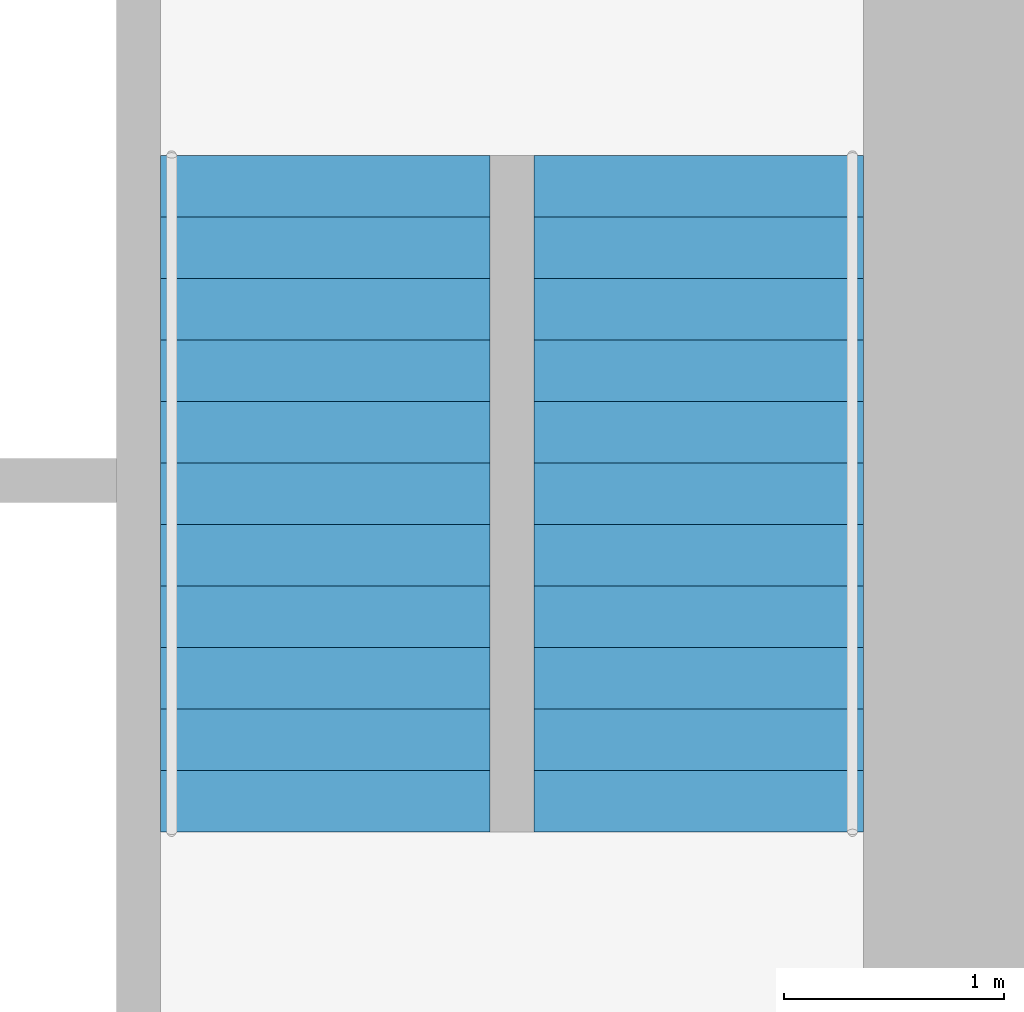
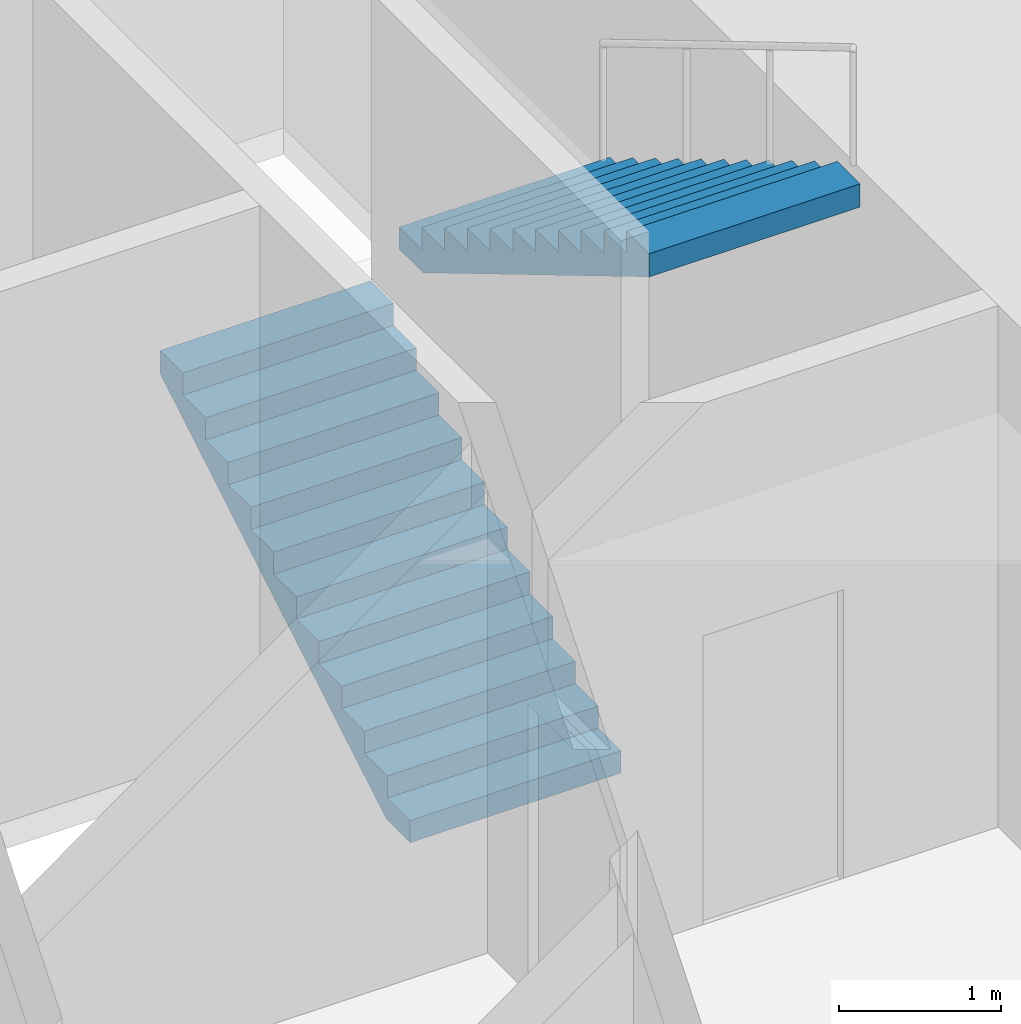
# One storey, part 14 of 17: 2 stair flights, 1 element without a shape of its own.
"""IFC4 building model written with IfcOpenShell, lengths in metres."""

from ifc_helpers import new_model, si_unit, direction, frame, origin, place, context, subcontext, project, spatial, polyline, outline, extrude, material, type_object, element, aggregate, save


model = new_model("IFC4")

# Units and contexts
model_context = context("Model", 3, precision=1e-05, world=origin(), true_north=direction((0.0, 1.0)))
body_context = subcontext(model_context, "Body", "Model", "MODEL_VIEW")
ifc_project = project(units=[si_unit("LENGTHUNIT", "METRE"), si_unit("AREAUNIT", "SQUARE_METRE"), si_unit("VOLUMEUNIT", "CUBIC_METRE"), si_unit("PLANEANGLEUNIT", "RADIAN"), si_unit("MASSUNIT", "GRAM", prefix="KILO")], contexts=[model_context])

# Site, building, storey
site_placement = place(None, origin())
site = spatial("IfcSite", under=ifc_project, at=site_placement, CompositionType="ELEMENT")
building_placement = place(site_placement, origin())
building = spatial("IfcBuilding", under=site, at=building_placement, Name="Svetlomir Tower", CompositionType="ELEMENT")
storey_placement = place(building_placement, frame((0.0, 0.0, 38.5)))
storey = spatial("IfcBuildingStorey", under=building, at=storey_placement, Name="L08", CompositionType="ELEMENT", Elevation=38.5)

# Stair, stair flights
ifc_material_1 = material(Name="Concrete C60/75", Category="concrete")
stair_type = type_object("IfcStairType", Name="EXIT STAIR 3200 RISE 4000", PredefinedType="HALF_TURN_STAIR", material=ifc_material_1)
stair_placement = place(storey_placement, origin())
stair = element("IfcStair", 1, at=stair_placement, inside=storey, type_object=stair_type, Name="Stair S2 L08 to L09", PredefinedType="HALF_TURN_STAIR")
ifc_material_2 = material(Name="Concrete C60/75", Category="concrete")
stair_flight_type = type_object("IfcStairFlightType", Name="STAIR FLIGHT 1500 OF 12 RISERS", PredefinedType="STRAIGHT", material=ifc_material_2)
stair_flight_1_placement = place(storey_placement, frame((26.949951171875, 22.300048828125, 0.0), z_axis=(0.0, 0.0, 1.0), x_axis=(0.0, 1.0, 0.0)))
stair_flight_1 = element("IfcStairFlight", 2, at=stair_flight_1_placement, type_object=stair_flight_type, Name="S2 flight 1", NumberOfRisers=12, NumberOfTreads=11, PredefinedType="STRAIGHT", RiserHeight=0.166666667, TreadLength=0.28, context=body_context, shape_type="SweptSolid", body=[
    extrude(outline(polyline([(0.0, 0.0), (0.0, 0.166748046875), (0.280029296875, 0.166748046875), (0.280029296875, 0.333251953125), (0.56005859375, 0.333251953125), (0.56005859375, 0.5), (0.840087890625, 0.5), (0.840087890625, 0.666748046875), (1.1201171875, 0.666748046875), (1.1201171875, 0.833251953125), (1.39990234375, 0.833251953125), (1.39990234375, 1.0), (1.679931640625, 1.0), (1.679931640625, 1.166748046875), (1.9599609375, 1.166748046875), (1.9599609375, 1.333251953125), (2.239990234375, 1.333251953125), (2.239990234375, 1.5), (2.52001953125, 1.5), (2.52001953125, 1.666748046875), (2.800048828125, 1.666748046875), (2.800048828125, 1.833251953125), (3.080078125, 1.833251953125), (3.080078125, 2.0), (3.080078125, 1.658935546875), (0.29296875, 0.0), (0.0, 0.0)])), frame((0.0, 0.75, 0.0), z_axis=(0.0, -1.0, 0.0), x_axis=(1.0, 0.0, 0.0)), (0.0, 0.0, 1.0), 1.5),
])
stair_flight_2_placement = place(storey_placement, frame((28.64990234375, 25.3798828125, 2.0), z_axis=(0.0, 0.0, 1.0), x_axis=(0.0, -1.0, 0.0)))
stair_flight_2 = element("IfcStairFlight", 3, at=stair_flight_2_placement, type_object=stair_flight_type, Name="S2 flight 2", NumberOfRisers=12, NumberOfTreads=11, PredefinedType="STRAIGHT", RiserHeight=0.166666667, TreadLength=0.28, context=body_context, shape_type="SweptSolid", body=[
    extrude(outline(polyline([(0.0, 0.0), (0.0, 0.166748046875), (0.280029296875, 0.166748046875), (0.280029296875, 0.333251953125), (0.56005859375, 0.333251953125), (0.56005859375, 0.5), (0.840087890625, 0.5), (0.840087890625, 0.666748046875), (1.1201171875, 0.666748046875), (1.1201171875, 0.833251953125), (1.39990234375, 0.833251953125), (1.39990234375, 1.0), (1.679931640625, 1.0), (1.679931640625, 1.166748046875), (1.9599609375, 1.166748046875), (1.9599609375, 1.333251953125), (2.239990234375, 1.333251953125), (2.239990234375, 1.5), (2.52001953125, 1.5), (2.52001953125, 1.666748046875), (2.800048828125, 1.666748046875), (2.800048828125, 1.833251953125), (3.080078125, 1.833251953125), (3.080078125, 2.0), (3.080078125, 1.658935546875), (0.29296875, 0.0), (0.0, 0.0)])), frame((0.0, 0.75, 0.0), z_axis=(0.0, -1.0, 0.0), x_axis=(1.0, 0.0, 0.0)), (0.0, 0.0, 1.0), 1.5),
])
aggregate(stair, [stair_flight_1, stair_flight_2])

save(model, "model.ifc")
